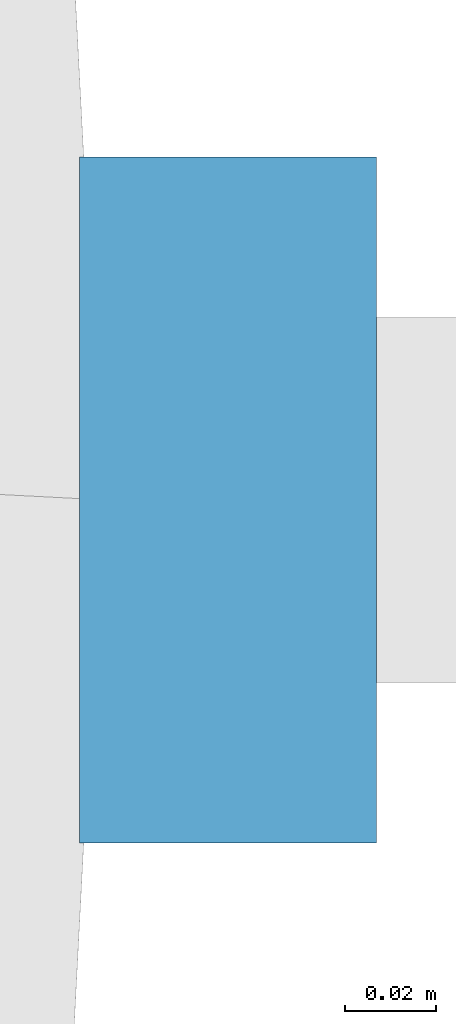
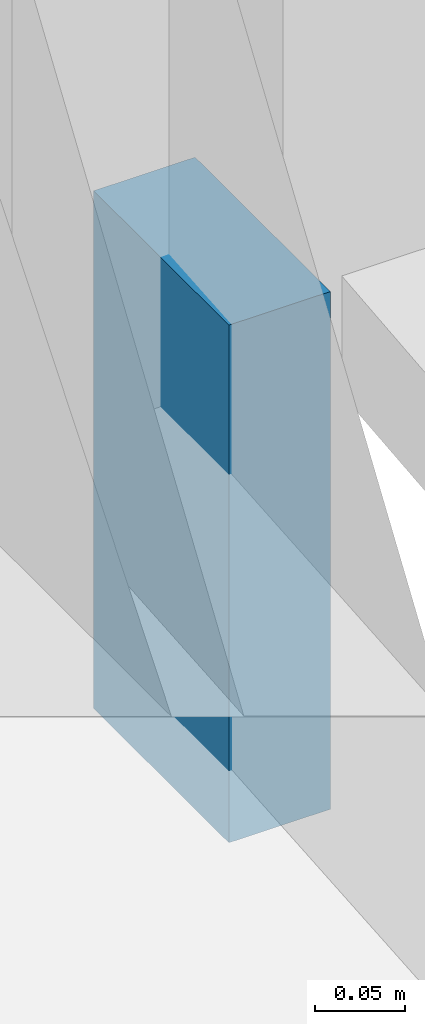
# One storey, part 16 of 20: 1 discrete accessory.
"""IFC4 building model written with IfcOpenShell, lengths in metres."""

from ifc_helpers import new_model, si_unit, direction, frame, origin, origin_2d, place, context, subcontext, project, spatial, rectangle, extrude, material, type_object, element, save


model = new_model("IFC4")

# Units and contexts
model_context = context("Model", 3, precision=1e-05, world=origin(), true_north=direction((0.0, 1.0)))
body_context = subcontext(model_context, "Body", "Model", "MODEL_VIEW")
ifc_project = project(units=[si_unit("LENGTHUNIT", "METRE"), si_unit("AREAUNIT", "SQUARE_METRE"), si_unit("VOLUMEUNIT", "CUBIC_METRE"), si_unit("PLANEANGLEUNIT", "RADIAN"), si_unit("MASSUNIT", "GRAM", prefix="KILO")], contexts=[model_context])

# Site, building, storey
site_placement = place(None, origin())
site = spatial("IfcSite", under=ifc_project, at=site_placement, CompositionType="ELEMENT")
building_placement = place(site_placement, origin())
building = spatial("IfcBuilding", under=site, at=building_placement, Name="Ghaith Harvest Tower", CompositionType="ELEMENT")
storey_placement = place(building_placement, frame((0.0, 0.0, 35.0)))
storey = spatial("IfcBuildingStorey", under=building, at=storey_placement, Name="L07", CompositionType="ELEMENT", Elevation=35.0)

# Discrete accessory
ifc_material = material(Name="Stainless steel grade 1.4401", Category="steel")
discrete_accessory_type = type_object("IfcDiscreteAccessoryType", Name="CURTAIN WALL BRACKET 65", PredefinedType="BRACKET", material=ifc_material)
discrete_accessory_placement = place(storey_placement, frame((34.152587890625, 0.0, -0.25), z_axis=(0.0, 0.0, 1.0), x_axis=(1.0, 0.0, 0.0)))
element("IfcDiscreteAccessory", 1, at=discrete_accessory_placement, inside=storey, type_object=discrete_accessory_type, Name="CW-F bracket 1 bay 01 L07", PredefinedType="BRACKET", context=body_context, shape_type="SweptSolid", body=[
    extrude(rectangle(XDim=0.06494140625, YDim=0.14990234375, at=origin_2d()), origin(), (0.0, 0.0, 1.0), 0.35009765625),
])

save(model, "model.ifc")
